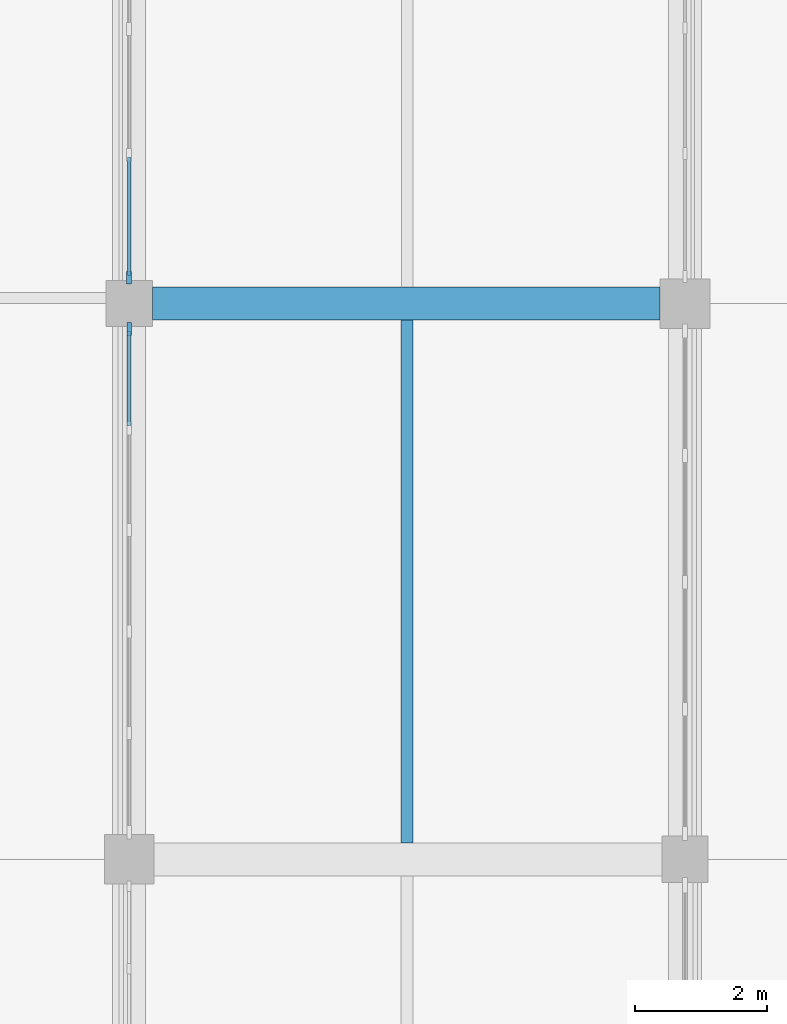
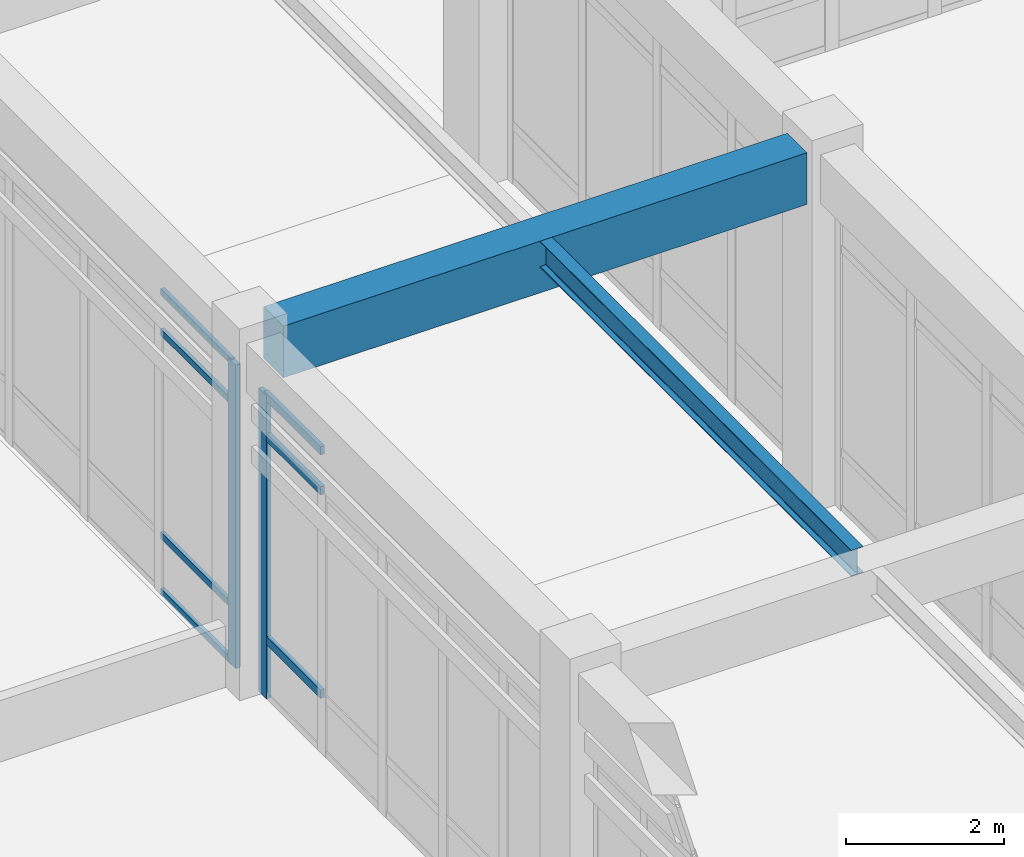
# One storey, part 28 of 91: 9 members, 2 beams, 2 elements without a shape of their own.
"""IFC4 building model written with IfcOpenShell, lengths in metres."""

from ifc_helpers import new_model, si_unit, direction, frame, origin, origin_2d, place, context, subcontext, project, spatial, rectangle, i_section, extrude, material, layer, layer_set, material_profile, profile_set, type_object, element, aggregate, save


model = new_model("IFC4")

# Units and contexts
model_context = context("Model", 3, precision=1e-05, world=origin(), true_north=direction((0.0, 1.0)))
body_context = subcontext(model_context, "Body", "Model", "MODEL_VIEW")
ifc_project = project(units=[si_unit("LENGTHUNIT", "METRE"), si_unit("AREAUNIT", "SQUARE_METRE"), si_unit("VOLUMEUNIT", "CUBIC_METRE"), si_unit("PLANEANGLEUNIT", "RADIAN"), si_unit("MASSUNIT", "GRAM", prefix="KILO")], contexts=[model_context])

# Site, building, storey
site_placement = place(None, origin())
site = spatial("IfcSite", under=ifc_project, at=site_placement, CompositionType="ELEMENT")
building_placement = place(site_placement, origin())
building = spatial("IfcBuilding", under=site, at=building_placement, Name="Porcellanite Civic Hall", CompositionType="ELEMENT")
storey_placement = place(building_placement, origin())
storey = spatial("IfcBuildingStorey", under=building, at=storey_placement, Name="L00", CompositionType="ELEMENT", Elevation=0.0)

# Beam
ifc_material_1 = material(Name="Concrete N50 (50 MPa)", Category="concrete")
ifc_material_profile_1 = material_profile(ifc_material_1, rectangle(XDim=0.5, YDim=0.800048828125, at=origin_2d()), Name="RC-500x800")
ifc_profile_set_1 = profile_set([ifc_material_profile_1], Name="Concrete N50 (50 MPa)")
beam_type_1 = type_object("IfcBeamType", Name="BM-RC800", PredefinedType="BEAM", material=ifc_profile_set_1)
beam_1_placement = place(storey_placement, frame((117.949462890625, 92.39990234375, 5.10009765625), z_axis=(1.0, 0.0, 0.0), x_axis=(0.0, 1.0, 0.0)))
element("IfcBeam", 1, at=beam_1_placement, inside=storey, type_object=beam_type_1, Name="Beam X L00 15-12", PredefinedType="BEAM", context=body_context, shape_type="SweptSolid", body=[
    extrude(rectangle(XDim=0.5, YDim=0.800048828125, at=origin_2d()), origin(), (0.0, 0.0, 1.0), 7.676025390625),
])

# Curtain wall, member
ifc_material_2 = material(Name="Anodised aluminium and solar laminated glass", Category="aluminium")
ifc_layer_1 = layer(ifc_material_2, 0.179931640625)
ifc_layer_set_1 = layer_set([ifc_layer_1], Name="Anodised aluminium and solar laminated glass")
curtain_wall_type_1 = type_object("IfcCurtainWallType", Name="CW-SYS04", PredefinedType="NOTDEFINED", material=ifc_layer_set_1)
curtain_wall_1_placement = place(storey_placement, origin())
curtain_wall_1 = element("IfcCurtainWall", 2, at=curtain_wall_1_placement, inside=storey, type_object=curtain_wall_type_1, Name="Curtain wall CW-043", PredefinedType="NOTDEFINED")
ifc_material_3 = material(Name="Anodised aluminium 6063-T6", Category="aluminium")
ifc_material_profile_2 = material_profile(ifc_material_3, rectangle(XDim=0.074951171875, YDim=0.18994140625, at=origin_2d()), Name="AL-75x190")
ifc_profile_set_2 = profile_set([ifc_material_profile_2], Name="Anodised aluminium 6063-T6")
member_type_1 = type_object("IfcMemberType", Name="CWM-04", PredefinedType="MULLION", material=ifc_profile_set_2)
member_1_placement = place(storey_placement, frame((117.60009765625, 92.78857421875, 0.0), z_axis=(0.0, 0.0, 1.0), x_axis=(-1.0, 0.0, 0.0)))
member_1 = element("IfcMember", 3, at=member_1_placement, type_object=member_type_1, Name="CW-043 mullion 1", PredefinedType="MULLION", context=body_context, shape_type="SweptSolid", body=[
    extrude(rectangle(XDim=0.074951171875, YDim=0.18994140625, at=origin_2d()), origin(), (0.0, 0.0, 1.0), 4.699951171875),
])

# Curtain wall, members
ifc_material_4 = material(Name="Anodised aluminium and solar laminated glass", Category="aluminium")
ifc_layer_2 = layer(ifc_material_4, 0.179931640625)
ifc_layer_set_2 = layer_set([ifc_layer_2], Name="Anodised aluminium and solar laminated glass")
curtain_wall_type_2 = type_object("IfcCurtainWallType", Name="CW-SYS01", PredefinedType="NOTDEFINED", material=ifc_layer_set_2)
curtain_wall_2_placement = place(storey_placement, origin())
curtain_wall_2 = element("IfcCurtainWall", 4, at=curtain_wall_2_placement, inside=storey, type_object=curtain_wall_type_2, Name="Curtain wall CW-041", PredefinedType="NOTDEFINED")
ifc_material_5 = material(Name="Anodised aluminium 6063-T6", Category="aluminium")
ifc_material_profile_3 = material_profile(ifc_material_5, rectangle(XDim=0.070068359375, YDim=0.199951171875, at=origin_2d()), Name="AL-70x200")
ifc_profile_set_3 = profile_set([ifc_material_profile_3], Name="Anodised aluminium 6063-T6")
member_type_2 = type_object("IfcMemberType", Name="CWM-05", PredefinedType="MULLION", material=ifc_profile_set_3)
member_2_placement = place(storey_placement, frame((117.60009765625, 92.013916015625, 0.0), z_axis=(0.0, 0.0, 1.0), x_axis=(-1.0, 0.0, 0.0)))
member_2 = element("IfcMember", 5, at=member_2_placement, type_object=member_type_2, Name="CW-041 mullion 6", PredefinedType="MULLION", context=body_context, shape_type="SweptSolid", body=[
    extrude(rectangle(XDim=0.070068359375, YDim=0.199951171875, at=origin_2d()), origin(), (0.0, 0.0, 1.0), 4.699951171875),
])
ifc_material_6 = material(Name="Anodised aluminium 6063-T6", Category="aluminium")
ifc_material_profile_4 = material_profile(ifc_material_6, rectangle(XDim=0.06005859375, YDim=0.1298828125, at=origin_2d()), Name="AL-60x130")
ifc_profile_set_4 = profile_set([ifc_material_profile_4], Name="Anodised aluminium 6063-T6")
member_type_3 = type_object("IfcMemberType", Name="CWT-03", PredefinedType="USERDEFINED", material=ifc_profile_set_4)
member_3_placement = place(storey_placement, frame((117.60009765625, 90.54931640625, 0.89990234375), z_axis=(0.0, 1.0, 0.0), x_axis=(-1.0, 0.0, 0.0)))
member_3 = element("IfcMember", 6, at=member_3_placement, type_object=member_type_3, Name="CW-041 transom 5.2", ObjectType="TRANSOM", PredefinedType="USERDEFINED", context=body_context, shape_type="SweptSolid", body=[
    extrude(rectangle(XDim=0.06005859375, YDim=0.1298828125, at=origin_2d()), origin(), (0.0, 0.0, 1.0), 1.4296875),
])
member_4_placement = place(storey_placement, frame((117.60009765625, 90.54931640625, 4.050048828125), z_axis=(0.0, 1.0, 0.0), x_axis=(-1.0, 0.0, 0.0)))
member_4 = element("IfcMember", 7, at=member_4_placement, type_object=member_type_3, Name="CW-041 transom 5.3", ObjectType="TRANSOM", PredefinedType="USERDEFINED", context=body_context, shape_type="SweptSolid", body=[
    extrude(rectangle(XDim=0.06005859375, YDim=0.1298828125, at=origin_2d()), origin(), (0.0, 0.0, 1.0), 1.4296875),
])
member_5_placement = place(storey_placement, frame((117.60009765625, 90.54931640625, 4.669921875), z_axis=(0.0, 1.0, 0.0), x_axis=(-1.0, 0.0, 0.0)))
member_5 = element("IfcMember", 8, at=member_5_placement, type_object=member_type_3, Name="CW-041 transom 5.4", ObjectType="TRANSOM", PredefinedType="USERDEFINED", context=body_context, shape_type="SweptSolid", body=[
    extrude(rectangle(XDim=0.06005859375, YDim=0.1298828125, at=origin_2d()), origin(), (0.0, 0.0, 1.0), 1.4296875),
])
aggregate(curtain_wall_2, [member_2, member_3, member_4, member_5])

# Member
ifc_material_7 = material(Name="Anodised aluminium 6063-T6", Category="aluminium")
ifc_material_profile_5 = material_profile(ifc_material_7, rectangle(XDim=0.054931640625, YDim=0.10009765625, at=origin_2d()), Name="AL-55x100")
ifc_profile_set_5 = profile_set([ifc_material_profile_5], Name="Anodised aluminium 6063-T6")
member_type_4 = type_object("IfcMemberType", Name="CWT-05", PredefinedType="USERDEFINED", material=ifc_profile_set_5)
member_6_placement = place(storey_placement, frame((117.60009765625, 92.825927734375, 0.027587890625), z_axis=(0.0, 1.0, 0.0), x_axis=(-1.0, 0.0, 0.0)))
member_6 = element("IfcMember", 9, at=member_6_placement, type_object=member_type_4, Name="CW-043 transom 1.1", ObjectType="TRANSOM", PredefinedType="USERDEFINED", context=body_context, shape_type="SweptSolid", body=[
    extrude(rectangle(XDim=0.054931640625, YDim=0.10009765625, at=origin_2d()), origin(), (0.0, 0.0, 1.0), 1.787109375),
])

member_7_placement = place(storey_placement, frame((117.60009765625, 92.825927734375, 0.89990234375), z_axis=(0.0, 1.0, 0.0), x_axis=(-1.0, 0.0, 0.0)))
member_7 = element("IfcMember", 10, at=member_7_placement, type_object=member_type_4, Name="CW-043 transom 1.2", ObjectType="TRANSOM", PredefinedType="USERDEFINED", context=body_context, shape_type="SweptSolid", body=[
    extrude(rectangle(XDim=0.054931640625, YDim=0.10009765625, at=origin_2d()), origin(), (0.0, 0.0, 1.0), 1.787109375),
])

member_8_placement = place(storey_placement, frame((117.60009765625, 92.825927734375, 4.050048828125), z_axis=(0.0, 1.0, 0.0), x_axis=(-1.0, 0.0, 0.0)))
member_8 = element("IfcMember", 11, at=member_8_placement, type_object=member_type_4, Name="CW-043 transom 1.3", ObjectType="TRANSOM", PredefinedType="USERDEFINED", context=body_context, shape_type="SweptSolid", body=[
    extrude(rectangle(XDim=0.054931640625, YDim=0.10009765625, at=origin_2d()), origin(), (0.0, 0.0, 1.0), 1.787109375),
])

member_9_placement = place(storey_placement, frame((117.60009765625, 92.825927734375, 4.672607421875), z_axis=(0.0, 1.0, 0.0), x_axis=(-1.0, 0.0, 0.0)))
member_9 = element("IfcMember", 12, at=member_9_placement, type_object=member_type_4, Name="CW-043 transom 1.4", ObjectType="TRANSOM", PredefinedType="USERDEFINED", context=body_context, shape_type="SweptSolid", body=[
    extrude(rectangle(XDim=0.054931640625, YDim=0.10009765625, at=origin_2d()), origin(), (0.0, 0.0, 1.0), 1.787109375),
])

aggregate(curtain_wall_1, [member_1, member_6, member_7, member_8, member_9])

# Beam
ifc_material_8 = material(Name="Steel Grade 350", Category="steel")
ifc_material_profile_6 = material_profile(ifc_material_8, i_section(OverallWidth=0.177978515625, OverallDepth=0.403076171875, WebThickness=0.007568359375, FlangeThickness=0.010986328125, FilletRadius=0.011474609375, at=origin_2d()), Name="410UB53.7")
ifc_profile_set_6 = profile_set([ifc_material_profile_6], Name="Steel Grade 350")
beam_type_2 = type_object("IfcBeamType", Name="JST-410UB54", PredefinedType="JOIST", material=ifc_profile_set_6)
beam_2_placement = place(storey_placement, frame((121.800048828125, 84.24951171875, 5.298583984375), z_axis=(0.0, 1.0, 0.0), x_axis=(-1.0, 0.0, 0.0)))
element("IfcBeam", 13, at=beam_2_placement, inside=storey, type_object=beam_type_2, Name="Secondary joist L00 15-11", PredefinedType="JOIST", context=body_context, shape_type="SweptSolid", body=[
    extrude(i_section(OverallWidth=0.177978515625, OverallDepth=0.403076171875, WebThickness=0.007568359375, FlangeThickness=0.010986328125, FilletRadius=0.011474609375, at=origin_2d()), origin(), (0.0, 0.0, 1.0), 7.90087890625),
])

save(model, "model.ifc")
